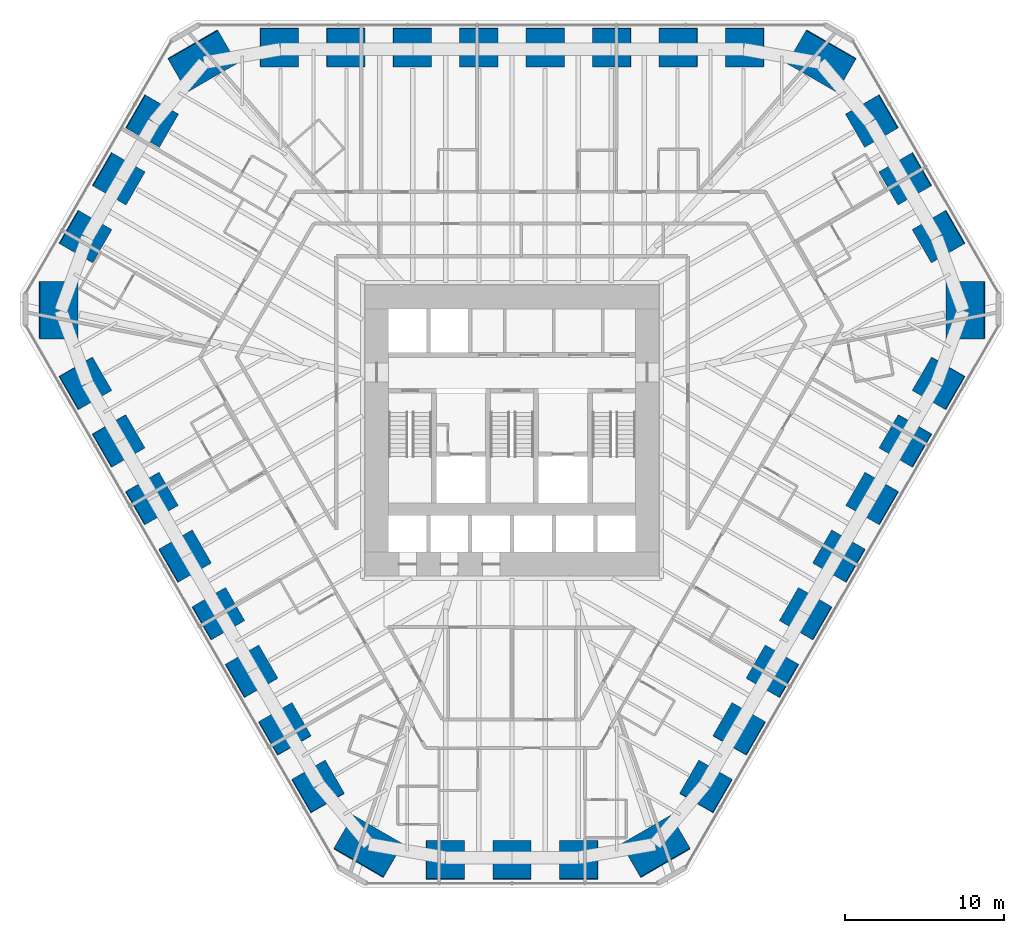
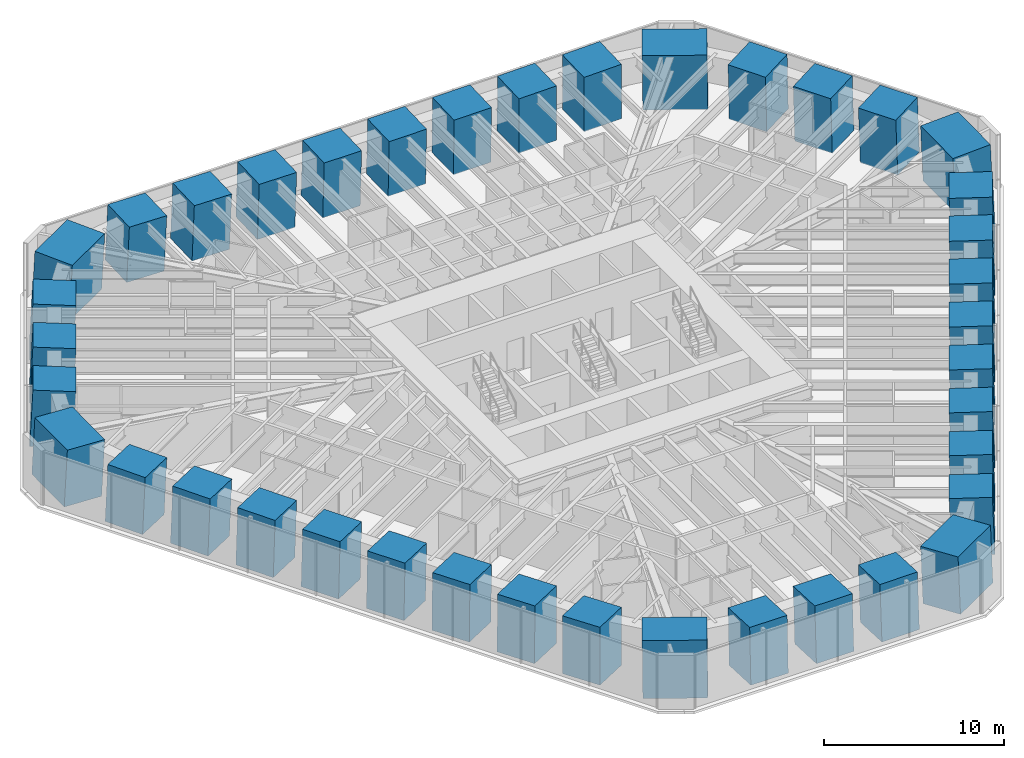
# One storey, part 1 of 17: 39 columns.
"""IFC4 building model written with IfcOpenShell, lengths in metres."""

from ifc_helpers import new_model, si_unit, direction, frame, origin, origin_2d, place, context, subcontext, project, spatial, rectangle, extrude, material, material_profile, profile_set, type_object, element, save


model = new_model("IFC4")

# Units and contexts
model_context = context("Model", 3, precision=1e-05, world=origin(), true_north=direction((0.0, 1.0)))
body_context = subcontext(model_context, "Body", "Model", "MODEL_VIEW")
ifc_project = project(units=[si_unit("LENGTHUNIT", "METRE"), si_unit("AREAUNIT", "SQUARE_METRE"), si_unit("VOLUMEUNIT", "CUBIC_METRE"), si_unit("PLANEANGLEUNIT", "RADIAN"), si_unit("MASSUNIT", "GRAM", prefix="KILO")], contexts=[model_context])

# Site, building, storey
site_placement = place(None, origin())
site = spatial("IfcSite", under=ifc_project, at=site_placement, CompositionType="ELEMENT")
building_placement = place(site_placement, origin())
building = spatial("IfcBuilding", under=site, at=building_placement, Name="Sandreach Pilgrim Tower", CompositionType="ELEMENT")
storey_placement = place(building_placement, frame((0.0, 0.0, 61.0)))
storey = spatial("IfcBuildingStorey", under=building, at=storey_placement, Name="L14", CompositionType="ELEMENT", Elevation=61.0)

# Columns
ifc_material_1 = material(Name="Concrete 10000 psi", Category="concrete")
ifc_material_profile_1 = material_profile(ifc_material_1, rectangle(XDim=2.39990234375, YDim=2.39990234375, at=origin_2d()), Name="RC2400X2400")
ifc_profile_set_1 = profile_set([ifc_material_profile_1], Name="Concrete 10000 psi")
column_type_1 = type_object("IfcColumnType", Name="Raked tube column RC2400X2400", PredefinedType="COLUMN", material=ifc_profile_set_1)
column_1_placement = place(storey_placement, frame((-14.642333984375, 22.54638671875, 0.0), z_axis=(0.0238126955, -0.036713913278, 0.999042063231), x_axis=(0.001457588232, 0.999325647249, 0.036689592354)))
element("IfcColumn", 1, at=column_1_placement, inside=storey, type_object=column_type_1, Name="COL L14 T01", PredefinedType="COLUMN", context=body_context, shape_type="SweptSolid", body=[
    extrude(rectangle(XDim=2.39990234375, YDim=2.39990234375, at=origin_2d()), origin(), (0.0, 0.0, 1.0), 3.8037109375),
])
column_2_placement = place(storey_placement, frame((-10.458984375, 22.546630859375, 0.0), z_axis=(0.017011470786, -0.036654904976, 0.999183180304), x_axis=(0.000443785294, 0.99932796694, 0.036652660843)))
element("IfcColumn", 2, at=column_2_placement, inside=storey, type_object=column_type_1, Name="COL L14 T02", PredefinedType="COLUMN", context=body_context, shape_type="SweptSolid", body=[
    extrude(rectangle(XDim=2.39990234375, YDim=2.39990234375, at=origin_2d()), origin(), (0.0, 0.0, 1.0), 3.80322265625),
])
for number, where, z_axis, x_axis, name in (
    (3, (-6.275390625, 22.547119140625, 0.0), (0.010207803765, -0.036722413544, 0.999273368546), (0.000704593406, 0.99932545045, 0.036717129927), "COL L14 T03"),
    (4, (-2.091796875, 22.54736328125, 0.0), (0.003402758843, -0.036724114306, 0.999319648892), (0.000242365854, 0.999325435323, 0.036723501678), "COL L14 T04"),
    (5, (2.091796875, 22.54736328125, 0.0), (-0.003402758843, -0.036724114306, 0.999319648892), (-0.000242365854, 0.999325435323, 0.036723501678), "COL L14 T05"),
    (6, (6.275390625, 22.547119140625, 0.0), (-0.010207803765, -0.036722413544, 0.999273368546), (-0.000704593406, 0.99932545045, 0.036717129927), "COL L14 T06"),
):
    element("IfcColumn", number, at=place(storey_placement, frame(where, z_axis=z_axis, x_axis=x_axis)), inside=storey, type_object=column_type_1, Name=name, PredefinedType="COLUMN", context=body_context, shape_type="SweptSolid", body=[
        extrude(rectangle(XDim=2.39990234375, YDim=2.39990234375, at=origin_2d()), origin(), (0.0, 0.0, 1.0), 3.802734375),
    ])
column_3_placement = place(storey_placement, frame((10.458984375, 22.546630859375, 0.0), z_axis=(-0.017011470786, -0.036654904976, 0.999183180304), x_axis=(-0.000443785294, 0.99932796694, 0.036652660843)))
element("IfcColumn", 7, at=column_3_placement, inside=storey, type_object=column_type_1, Name="COL L14 T07", PredefinedType="COLUMN", context=body_context, shape_type="SweptSolid", body=[
    extrude(rectangle(XDim=2.39990234375, YDim=2.39990234375, at=origin_2d()), origin(), (0.0, 0.0, 1.0), 3.80322265625),
])
column_4_placement = place(storey_placement, frame((14.642333984375, 22.54638671875, 0.0), z_axis=(-0.0238126955, -0.036713913278, 0.999042063231), x_axis=(-0.001457588232, 0.999325647249, 0.036689592354)))
element("IfcColumn", 8, at=column_4_placement, inside=storey, type_object=column_type_1, Name="COL L14 T08", PredefinedType="COLUMN", context=body_context, shape_type="SweptSolid", body=[
    extrude(rectangle(XDim=2.39990234375, YDim=2.39990234375, at=origin_2d()), origin(), (0.0, 0.0, 1.0), 3.8037109375),
])
column_5_placement = place(storey_placement, frame((22.647216796875, 17.9208984375, 0.0), z_axis=(-0.036388620428, -0.028815680022, 0.998922181598), x_axis=(0.865087115008, 0.499515154746, 0.045922691853)))
element("IfcColumn", 9, at=column_5_placement, inside=storey, type_object=column_type_1, Name="COL L14 T10", PredefinedType="COLUMN", context=body_context, shape_type="SweptSolid", body=[
    extrude(rectangle(XDim=2.39990234375, YDim=2.39990234375, at=origin_2d()), origin(), (0.0, 0.0, 1.0), 3.80419921875),
])
column_6_placement = place(storey_placement, frame((24.74560546875, 14.286865234375, 0.0), z_axis=(-0.039726869437, -0.02291194247, 0.998947855865), x_axis=(0.865344046472, 0.499075645542, 0.045860454239)))
element("IfcColumn", 10, at=column_6_placement, inside=storey, type_object=column_type_1, Name="COL L14 T11", PredefinedType="COLUMN", context=body_context, shape_type="SweptSolid", body=[
    extrude(rectangle(XDim=2.39990234375, YDim=2.39990234375, at=origin_2d()), origin(), (0.0, 0.0, 1.0), 3.803955078125),
])
column_7_placement = place(storey_placement, frame((26.843505859375, 10.652587890625, 0.0), z_axis=(-0.043127320452, -0.017071231012, 0.998923724467), x_axis=(0.865394297081, 0.498985805563, 0.045889829227)))
element("IfcColumn", 11, at=column_7_placement, inside=storey, type_object=column_type_1, Name="COL L14 T12", PredefinedType="COLUMN", context=body_context, shape_type="SweptSolid", body=[
    extrude(rectangle(XDim=2.39990234375, YDim=2.39990234375, at=origin_2d()), origin(), (0.0, 0.0, 1.0), 3.80419921875),
])
column_8_placement = place(storey_placement, frame((26.846923828125, 1.407470703125, 0.0), z_axis=(-0.043710075164, -0.002310664766, 0.9990415858), x_axis=(0.865223526362, -0.500041450944, 0.036698729792)))
element("IfcColumn", 12, at=column_8_placement, inside=storey, type_object=column_type_1, Name="COL L14 T14", PredefinedType="COLUMN", context=body_context, shape_type="SweptSolid", body=[
    extrude(rectangle(XDim=2.39990234375, YDim=2.39990234375, at=origin_2d()), origin(), (0.0, 0.0, 1.0), 3.8037109375),
])
column_9_placement = place(storey_placement, frame((24.755615234375, -2.215576171875, 0.0), z_axis=(-0.040313871888, 0.003594867557, 0.999180598621), x_axis=(0.865292276739, -0.499921607788, 0.036710514605)))
element("IfcColumn", 13, at=column_9_placement, inside=storey, type_object=column_type_1, Name="COL L14 T15", PredefinedType="COLUMN", context=body_context, shape_type="SweptSolid", body=[
    extrude(rectangle(XDim=2.39990234375, YDim=2.39990234375, at=origin_2d()), origin(), (0.0, 0.0, 1.0), 3.80322265625),
])
for number, where, z_axis, x_axis, name in (
    (14, (22.6640625, -5.8388671875, 0.0), (-0.036915008746, 0.009501602251, 0.99927323675), (0.865363128074, -0.499798223787, 0.036720458449), "COL L14 T16"),
    (15, (20.572509765625, -9.462158203125, 0.0), (-0.033513958168, 0.015408716399, 0.999319461467), (0.865447927191, -0.499650776395, 0.03672855794), "COL L14 T17"),
    (16, (18.480712890625, -13.085205078125, 0.0), (-0.030111193695, 0.021315386582, 0.999319253447), (0.865557695046, -0.499460185975, 0.036734169015), "COL L14 T18"),
    (17, (16.388671875, -16.708251953125, 0.0), (-0.026707189651, 0.027220789452, 0.999272612775), (0.865695316087, -0.499221464256, 0.036736212807), "COL L14 T19"),
):
    element("IfcColumn", number, at=place(storey_placement, frame(where, z_axis=z_axis, x_axis=x_axis)), inside=storey, type_object=column_type_1, Name=name, PredefinedType="COLUMN", context=body_context, shape_type="SweptSolid", body=[
        extrude(rectangle(XDim=2.39990234375, YDim=2.39990234375, at=origin_2d()), origin(), (0.0, 0.0, 1.0), 3.802734375),
    ])
column_10_placement = place(storey_placement, frame((14.296630859375, -20.3310546875, 0.0), z_axis=(-0.02330242081, 0.033124102308, 0.999179558954), x_axis=(0.865853874056, -0.498946587993, 0.036733787066)))
element("IfcColumn", 18, at=column_10_placement, inside=storey, type_object=column_type_1, Name="COL L14 T20", PredefinedType="COLUMN", context=body_context, shape_type="SweptSolid", body=[
    extrude(rectangle(XDim=2.39990234375, YDim=2.39990234375, at=origin_2d()), origin(), (0.0, 0.0, 1.0), 3.80322265625),
])
column_11_placement = place(storey_placement, frame((12.20458984375, -23.953857421875, 0.0), z_axis=(-0.019833202316, 0.039024553425, 0.999041404705), x_axis=(0.865370758954, -0.499786352777, 0.036702195118)))
element("IfcColumn", 19, at=column_11_placement, inside=storey, type_object=column_type_1, Name="COL L14 T21", PredefinedType="COLUMN", context=body_context, shape_type="SweptSolid", body=[
    extrude(rectangle(XDim=2.39990234375, YDim=2.39990234375, at=origin_2d()), origin(), (0.0, 0.0, 1.0), 3.8037109375),
])
column_12_placement = place(storey_placement, frame((4.1962890625, -28.573486328125, 0.0), z_axis=(-0.00673864507, 0.045886964046, 0.998923909611), x_axis=(-0.00031485931, -0.998946638466, 0.045885884117)))
element("IfcColumn", 20, at=column_12_placement, inside=storey, type_object=column_type_1, Name="COL L14 T23", PredefinedType="COLUMN", context=body_context, shape_type="SweptSolid", body=[
    extrude(rectangle(XDim=2.39990234375, YDim=2.39990234375, at=origin_2d()), origin(), (0.0, 0.0, 1.0), 3.80419921875),
])
column_13_placement = place(storey_placement, frame((0.0, -28.57373046875, 0.0), z_axis=(0.0, 0.04582396176, 0.998949530521), x_axis=(0.0, -0.998949530521, 0.04582396176)))
element("IfcColumn", 21, at=column_13_placement, inside=storey, type_object=column_type_1, Name="COL L14 T24", PredefinedType="COLUMN", context=body_context, shape_type="SweptSolid", body=[
    extrude(rectangle(XDim=2.39990234375, YDim=2.39990234375, at=origin_2d()), origin(), (0.0, 0.0, 1.0), 3.803955078125),
])
column_14_placement = place(storey_placement, frame((-4.1962890625, -28.573486328125, 0.0), z_axis=(0.00673864507, 0.045886964046, 0.998923909611), x_axis=(0.00031485931, -0.998946638466, 0.045885884117)))
element("IfcColumn", 22, at=column_14_placement, inside=storey, type_object=column_type_1, Name="COL L14 T25", PredefinedType="COLUMN", context=body_context, shape_type="SweptSolid", body=[
    extrude(rectangle(XDim=2.39990234375, YDim=2.39990234375, at=origin_2d()), origin(), (0.0, 0.0, 1.0), 3.80419921875),
])
column_15_placement = place(storey_placement, frame((-12.20458984375, -23.953857421875, 0.0), z_axis=(0.019833202316, 0.039024553425, 0.999041404705), x_axis=(-0.865370758954, -0.499786352777, 0.036702195118)))
element("IfcColumn", 23, at=column_15_placement, inside=storey, type_object=column_type_1, Name="COL L14 T27", PredefinedType="COLUMN", context=body_context, shape_type="SweptSolid", body=[
    extrude(rectangle(XDim=2.39990234375, YDim=2.39990234375, at=origin_2d()), origin(), (0.0, 0.0, 1.0), 3.8037109375),
])
column_16_placement = place(storey_placement, frame((-14.296630859375, -20.3310546875, 0.0), z_axis=(0.02330242081, 0.033124102308, 0.999179558954), x_axis=(-0.865853874056, -0.498946587993, 0.036733787066)))
element("IfcColumn", 24, at=column_16_placement, inside=storey, type_object=column_type_1, Name="COL L14 T28", PredefinedType="COLUMN", context=body_context, shape_type="SweptSolid", body=[
    extrude(rectangle(XDim=2.39990234375, YDim=2.39990234375, at=origin_2d()), origin(), (0.0, 0.0, 1.0), 3.80322265625),
])
for number, where, z_axis, x_axis, name in (
    (25, (-16.388671875, -16.708251953125, 0.0), (0.026707189651, 0.027220789452, 0.999272612775), (-0.865695316087, -0.499221464256, 0.036736212807), "COL L14 T29"),
    (26, (-18.480712890625, -13.085205078125, 0.0), (0.030111193695, 0.021315386582, 0.999319253447), (-0.865557695046, -0.499460185975, 0.036734169015), "COL L14 T30"),
    (27, (-20.572509765625, -9.462158203125, 0.0), (0.033513958168, 0.015408716399, 0.999319461467), (-0.865447927191, -0.499650776395, 0.03672855794), "COL L14 T31"),
    (28, (-22.6640625, -5.8388671875, 0.0), (0.036915008746, 0.009501602251, 0.99927323675), (-0.865363128074, -0.499798223787, 0.036720458449), "COL L14 T32"),
):
    element("IfcColumn", number, at=place(storey_placement, frame(where, z_axis=z_axis, x_axis=x_axis)), inside=storey, type_object=column_type_1, Name=name, PredefinedType="COLUMN", context=body_context, shape_type="SweptSolid", body=[
        extrude(rectangle(XDim=2.39990234375, YDim=2.39990234375, at=origin_2d()), origin(), (0.0, 0.0, 1.0), 3.802734375),
    ])
column_17_placement = place(storey_placement, frame((-24.755615234375, -2.215576171875, 0.0), z_axis=(0.040313871888, 0.003594867557, 0.999180598621), x_axis=(-0.865292276739, -0.499921607788, 0.036710514605)))
element("IfcColumn", 29, at=column_17_placement, inside=storey, type_object=column_type_1, Name="COL L14 T33", PredefinedType="COLUMN", context=body_context, shape_type="SweptSolid", body=[
    extrude(rectangle(XDim=2.39990234375, YDim=2.39990234375, at=origin_2d()), origin(), (0.0, 0.0, 1.0), 3.80322265625),
])
column_18_placement = place(storey_placement, frame((-26.846923828125, 1.407470703125, 0.0), z_axis=(0.043710075164, -0.002310664766, 0.9990415858), x_axis=(-0.865223526362, -0.500041450944, 0.036698729792)))
element("IfcColumn", 30, at=column_18_placement, inside=storey, type_object=column_type_1, Name="COL L14 T34", PredefinedType="COLUMN", context=body_context, shape_type="SweptSolid", body=[
    extrude(rectangle(XDim=2.39990234375, YDim=2.39990234375, at=origin_2d()), origin(), (0.0, 0.0, 1.0), 3.8037109375),
])
column_19_placement = place(storey_placement, frame((-26.843505859375, 10.652587890625, 0.0), z_axis=(0.043127320452, -0.017071231012, 0.998923724467), x_axis=(-0.865394297081, 0.498985805563, 0.045889829227)))
element("IfcColumn", 31, at=column_19_placement, inside=storey, type_object=column_type_1, Name="COL L14 T36", PredefinedType="COLUMN", context=body_context, shape_type="SweptSolid", body=[
    extrude(rectangle(XDim=2.39990234375, YDim=2.39990234375, at=origin_2d()), origin(), (0.0, 0.0, 1.0), 3.80419921875),
])
column_20_placement = place(storey_placement, frame((-24.74560546875, 14.286865234375, 0.0), z_axis=(0.039726869437, -0.02291194247, 0.998947855865), x_axis=(-0.865344046472, 0.499075645542, 0.045860454239)))
element("IfcColumn", 32, at=column_20_placement, inside=storey, type_object=column_type_1, Name="COL L14 T37", PredefinedType="COLUMN", context=body_context, shape_type="SweptSolid", body=[
    extrude(rectangle(XDim=2.39990234375, YDim=2.39990234375, at=origin_2d()), origin(), (0.0, 0.0, 1.0), 3.803955078125),
])
column_21_placement = place(storey_placement, frame((-22.647216796875, 17.9208984375, 0.0), z_axis=(0.036388620428, -0.028815680022, 0.998922181598), x_axis=(-0.865087115008, 0.499515154746, 0.045922691853)))
element("IfcColumn", 33, at=column_21_placement, inside=storey, type_object=column_type_1, Name="COL L14 T38", PredefinedType="COLUMN", context=body_context, shape_type="SweptSolid", body=[
    extrude(rectangle(XDim=2.39990234375, YDim=2.39990234375, at=origin_2d()), origin(), (0.0, 0.0, 1.0), 3.80419921875),
])
ifc_material_2 = material(Name="Concrete 10000 psi", Category="concrete")
ifc_material_profile_2 = material_profile(ifc_material_2, rectangle(XDim=2.39990234375, YDim=3.60009765625, at=origin_2d()), Name="RC2400X3600")
ifc_profile_set_2 = profile_set([ifc_material_profile_2], Name="Concrete 10000 psi")
column_type_2 = type_object("IfcColumnType", Name="Raked tube corner pier RC2400X3600", PredefinedType="COLUMN", material=ifc_profile_set_2)
for number, where, z_axis, x_axis, name in (
    (34, (19.482421875, 21.69677734375, 0.0), (-0.031958207844, -0.035616075007, 0.998854427909), (0.498742821138, 0.865484661248, 0.046817726432), "COL L14 T09"),
    (35, (28.53125, 6.02392578125, 0.0), (-0.046846312306, -0.009882646706, 0.998853220607), (0.998902095057, -0.000629521583, 0.04684237604), "COL L14 T13"),
    (36, (9.048828125, -27.720703125, 0.0), (-0.014888146492, 0.045498689063, 0.998853448904), (0.500473089546, -0.864484190145, 0.046837715875), "COL L14 T22"),
    (37, (-9.048828125, -27.720703125, 0.0), (0.014888146492, 0.045498689063, 0.998853448904), (-0.500473089546, -0.864484190145, 0.046837715875), "COL L14 T26"),
    (38, (-28.53125, 6.02392578125, 0.0), (0.046846312306, -0.009882646706, 0.998853220607), (-0.998902095057, -0.000629521583, 0.04684237604), "COL L14 T35"),
    (39, (-19.482421875, 21.69677734375, 0.0), (0.031958207844, -0.035616075007, 0.998854427909), (-0.498742821138, 0.865484661248, 0.046817726432), "COL L14 T39"),
):
    element("IfcColumn", number, at=place(storey_placement, frame(where, z_axis=z_axis, x_axis=x_axis)), inside=storey, type_object=column_type_2, Name=name, PredefinedType="COLUMN", context=body_context, shape_type="SweptSolid", body=[
        extrude(rectangle(XDim=2.39990234375, YDim=3.60009765625, at=origin_2d()), origin(), (0.0, 0.0, 1.0), 3.804443359375),
    ])

save(model, "model.ifc")
